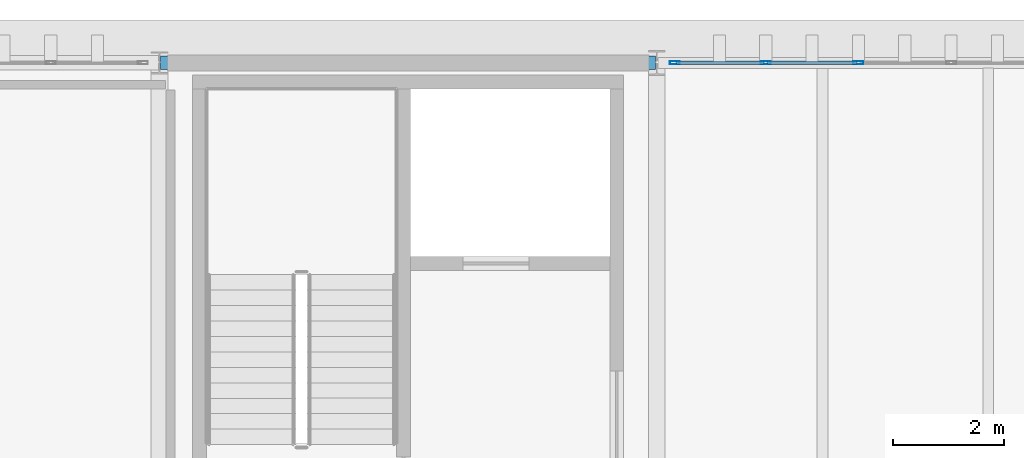
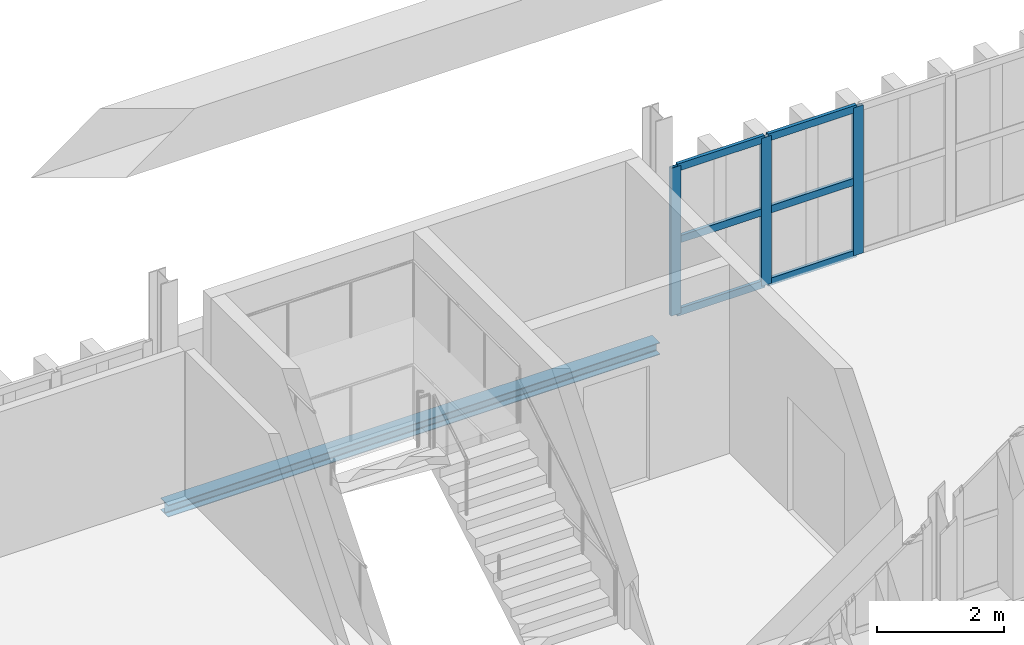
# One storey, part 70 of 102: 9 members, 1 beam, 1 element without a shape of its own.
"""IFC4 building model written with IfcOpenShell, lengths in metres."""

from ifc_helpers import new_model, si_unit, direction, frame, origin, origin_2d, place, context, subcontext, project, spatial, hollow_rectangle, i_section, extrude, material, layer, layer_set, material_profile, profile_set, type_object, element, aggregate, save


model = new_model("IFC4")

# Units and contexts
model_context = context("Model", 3, precision=1e-05, world=origin(), true_north=direction((0.0, 1.0)))
body_context = subcontext(model_context, "Body", "Model", "MODEL_VIEW")
ifc_project = project(units=[si_unit("LENGTHUNIT", "METRE"), si_unit("AREAUNIT", "SQUARE_METRE"), si_unit("VOLUMEUNIT", "CUBIC_METRE"), si_unit("PLANEANGLEUNIT", "RADIAN"), si_unit("MASSUNIT", "GRAM", prefix="KILO")], contexts=[model_context])

# Site, building, storey
site_placement = place(None, origin())
site = spatial("IfcSite", under=ifc_project, at=site_placement, CompositionType="ELEMENT")
building_placement = place(site_placement, origin())
building = spatial("IfcBuilding", under=site, at=building_placement, Name="Barlavento Convention Centre", CompositionType="ELEMENT")
storey_placement = place(building_placement, frame((0.0, 0.0, 22.800048828125)))
storey = spatial("IfcBuildingStorey", under=building, at=storey_placement, Name="L04", CompositionType="ELEMENT", Elevation=22.800048828125)

# Curtain wall, members
ifc_material_1 = material(Name="Powder-coated aluminium and Low-E glass", Category="aluminium")
ifc_layer = layer(ifc_material_1, 0.18505859375)
ifc_layer_set = layer_set([ifc_layer], Name="ARC-CW-CONF-L04")
curtain_wall_type = type_object("IfcCurtainWallType", Name="ARC-CW-CONF-L04", PredefinedType="NOTDEFINED", material=ifc_layer_set)
curtain_wall_placement = place(storey_placement, origin())
curtain_wall = element("IfcCurtainWall", 1, at=curtain_wall_placement, inside=storey, type_object=curtain_wall_type, Name="L04 unitised curtain wall CW09", PredefinedType="NOTDEFINED")
ifc_material_2 = material(Name="Powder-coated aluminium", Category="aluminium")
ifc_material_profile_1 = material_profile(ifc_material_2, hollow_rectangle(XDim=0.06005859375, YDim=0.179931640625, WallThickness=0.0048828125, at=origin_2d()), Name="AL-MULL 60x180x5")
ifc_profile_set_1 = profile_set([ifc_material_profile_1], Name="Powder-coated aluminium")
member_type_1 = type_object("IfcMemberType", Name="ARC-CWM-60X180", PredefinedType="MULLION", material=ifc_profile_set_1)
member_1_placement = place(storey_placement, frame((153.324951171875, 99.0, 0.0), z_axis=(0.0, 0.0, 1.0), x_axis=(0.0, 1.0, 0.0)))
member_1 = element("IfcMember", 2, at=member_1_placement, type_object=member_type_1, Name="CW09 mullion 1", PredefinedType="MULLION", context=body_context, shape_type="SweptSolid", body=[
    extrude(hollow_rectangle(XDim=0.06005859375, YDim=0.179931640625, WallThickness=0.0048828125, at=origin_2d()), origin(), (0.0, 0.0, 1.0), 2.849853515625),
])
member_2_placement = place(storey_placement, frame((154.971923828125, 99.0, 0.0), z_axis=(0.0, 0.0, 1.0), x_axis=(0.0, 1.0, 0.0)))
member_2 = element("IfcMember", 3, at=member_2_placement, type_object=member_type_1, Name="CW09 mullion 2", PredefinedType="MULLION", context=body_context, shape_type="SweptSolid", body=[
    extrude(hollow_rectangle(XDim=0.06005859375, YDim=0.179931640625, WallThickness=0.0048828125, at=origin_2d()), origin(), (0.0, 0.0, 1.0), 2.849853515625),
])
member_3_placement = place(storey_placement, frame((156.64892578125, 99.0, 0.0), z_axis=(0.0, 0.0, 1.0), x_axis=(0.0, 1.0, 0.0)))
member_3 = element("IfcMember", 4, at=member_3_placement, type_object=member_type_1, Name="CW09 mullion 3", PredefinedType="MULLION", context=body_context, shape_type="SweptSolid", body=[
    extrude(hollow_rectangle(XDim=0.06005859375, YDim=0.179931640625, WallThickness=0.0048828125, at=origin_2d()), origin(), (0.0, 0.0, 1.0), 2.849853515625),
])
ifc_material_profile_2 = material_profile(ifc_material_2, hollow_rectangle(XDim=0.06005859375, YDim=0.139892578125, WallThickness=0.00390625, at=origin_2d()), Name="AL-TRAN 60x140x4")
ifc_profile_set_2 = profile_set([ifc_material_profile_2], Name="Powder-coated aluminium")
member_type_2 = type_object("IfcMemberType", Name="ARC-CWT-60X140", PredefinedType="USERDEFINED", material=ifc_profile_set_2)
member_4_placement = place(storey_placement, frame((153.35498046875, 99.0, 0.030029296875), z_axis=(1.0, 0.0, 0.0), x_axis=(0.0, 1.0, 0.0)))
member_4 = element("IfcMember", 5, at=member_4_placement, type_object=member_type_2, Name="CW09 transom 1.1", ObjectType="TRANSOM", PredefinedType="USERDEFINED", context=body_context, shape_type="SweptSolid", body=[
    extrude(hollow_rectangle(XDim=0.06005859375, YDim=0.139892578125, WallThickness=0.00390625, at=origin_2d()), origin(), (0.0, 0.0, 1.0), 1.5869140625),
])
member_5_placement = place(storey_placement, frame((153.35498046875, 99.0, 1.425048828125), z_axis=(1.0, 0.0, 0.0), x_axis=(0.0, 1.0, 0.0)))
member_5 = element("IfcMember", 6, at=member_5_placement, type_object=member_type_2, Name="CW09 transom 1.2", ObjectType="TRANSOM", PredefinedType="USERDEFINED", context=body_context, shape_type="SweptSolid", body=[
    extrude(hollow_rectangle(XDim=0.06005859375, YDim=0.139892578125, WallThickness=0.00390625, at=origin_2d()), origin(), (0.0, 0.0, 1.0), 1.5869140625),
])
member_6_placement = place(storey_placement, frame((153.35498046875, 99.0, 2.820068359375), z_axis=(1.0, 0.0, 0.0), x_axis=(0.0, 1.0, 0.0)))
member_6 = element("IfcMember", 7, at=member_6_placement, type_object=member_type_2, Name="CW09 transom 1.3", ObjectType="TRANSOM", PredefinedType="USERDEFINED", context=body_context, shape_type="SweptSolid", body=[
    extrude(hollow_rectangle(XDim=0.06005859375, YDim=0.139892578125, WallThickness=0.00390625, at=origin_2d()), origin(), (0.0, 0.0, 1.0), 1.5869140625),
])
member_7_placement = place(storey_placement, frame((155.001953125, 99.0, 0.030029296875), z_axis=(1.0, 0.0, 0.0), x_axis=(0.0, 1.0, 0.0)))
member_7 = element("IfcMember", 8, at=member_7_placement, type_object=member_type_2, Name="CW09 transom 2.1", ObjectType="TRANSOM", PredefinedType="USERDEFINED", context=body_context, shape_type="SweptSolid", body=[
    extrude(hollow_rectangle(XDim=0.06005859375, YDim=0.139892578125, WallThickness=0.00390625, at=origin_2d()), origin(), (0.0, 0.0, 1.0), 1.616943359375),
])
member_8_placement = place(storey_placement, frame((155.001953125, 99.0, 1.425048828125), z_axis=(1.0, 0.0, 0.0), x_axis=(0.0, 1.0, 0.0)))
member_8 = element("IfcMember", 9, at=member_8_placement, type_object=member_type_2, Name="CW09 transom 2.2", ObjectType="TRANSOM", PredefinedType="USERDEFINED", context=body_context, shape_type="SweptSolid", body=[
    extrude(hollow_rectangle(XDim=0.06005859375, YDim=0.139892578125, WallThickness=0.00390625, at=origin_2d()), origin(), (0.0, 0.0, 1.0), 1.616943359375),
])
member_9_placement = place(storey_placement, frame((155.001953125, 99.0, 2.820068359375), z_axis=(1.0, 0.0, 0.0), x_axis=(0.0, 1.0, 0.0)))
member_9 = element("IfcMember", 10, at=member_9_placement, type_object=member_type_2, Name="CW09 transom 2.3", ObjectType="TRANSOM", PredefinedType="USERDEFINED", context=body_context, shape_type="SweptSolid", body=[
    extrude(hollow_rectangle(XDim=0.06005859375, YDim=0.139892578125, WallThickness=0.00390625, at=origin_2d()), origin(), (0.0, 0.0, 1.0), 1.616943359375),
])
aggregate(curtain_wall, [member_1, member_2, member_3, member_4, member_5, member_6, member_7, member_8, member_9])

# Beam
ifc_material_3 = material(Name="Steel S355", Category="steel")
ifc_material_profile_3 = material_profile(ifc_material_3, i_section(OverallWidth=0.239990234375, OverallDepth=0.22998046875, WebThickness=0.007568359375, FlangeThickness=0.011962890625, FilletRadius=0.02099609375, at=origin_2d()), Name="HEA 240")
ifc_profile_set_3 = profile_set([ifc_material_profile_3], Name="Steel S355")
beam_type = type_object("IfcBeamType", Name="STR-BM-SPN-HEA240", PredefinedType="SPANDREL", material=ifc_profile_set_3)
beam_placement = place(storey_placement, frame((144.02001953125, 99.0, -0.47509765625), z_axis=(1.0, 0.0, 0.0), x_axis=(0.0, 1.0, 0.0)))
element("IfcBeam", 11, at=beam_placement, inside=storey, type_object=beam_type, Name="L04 primary girder SP05", PredefinedType="SPANDREL", context=body_context, shape_type="SweptSolid", body=[
    extrude(i_section(OverallWidth=0.239990234375, OverallDepth=0.22998046875, WebThickness=0.007568359375, FlangeThickness=0.011962890625, FilletRadius=0.02099609375, at=origin_2d()), origin(), (0.0, 0.0, 1.0), 8.9599609375),
])

save(model, "model.ifc")
